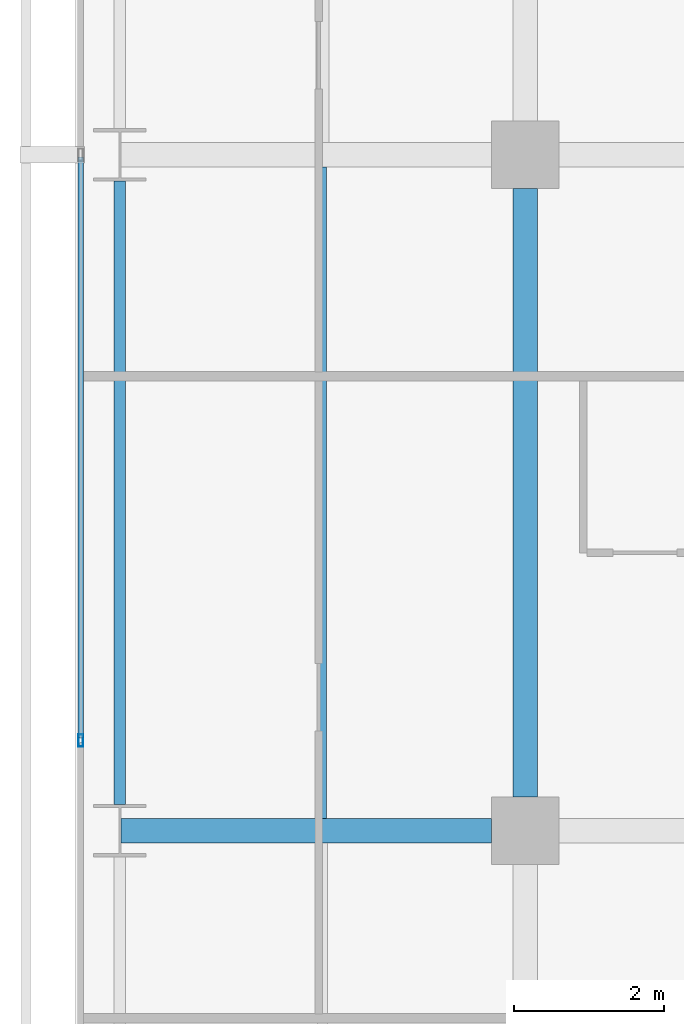
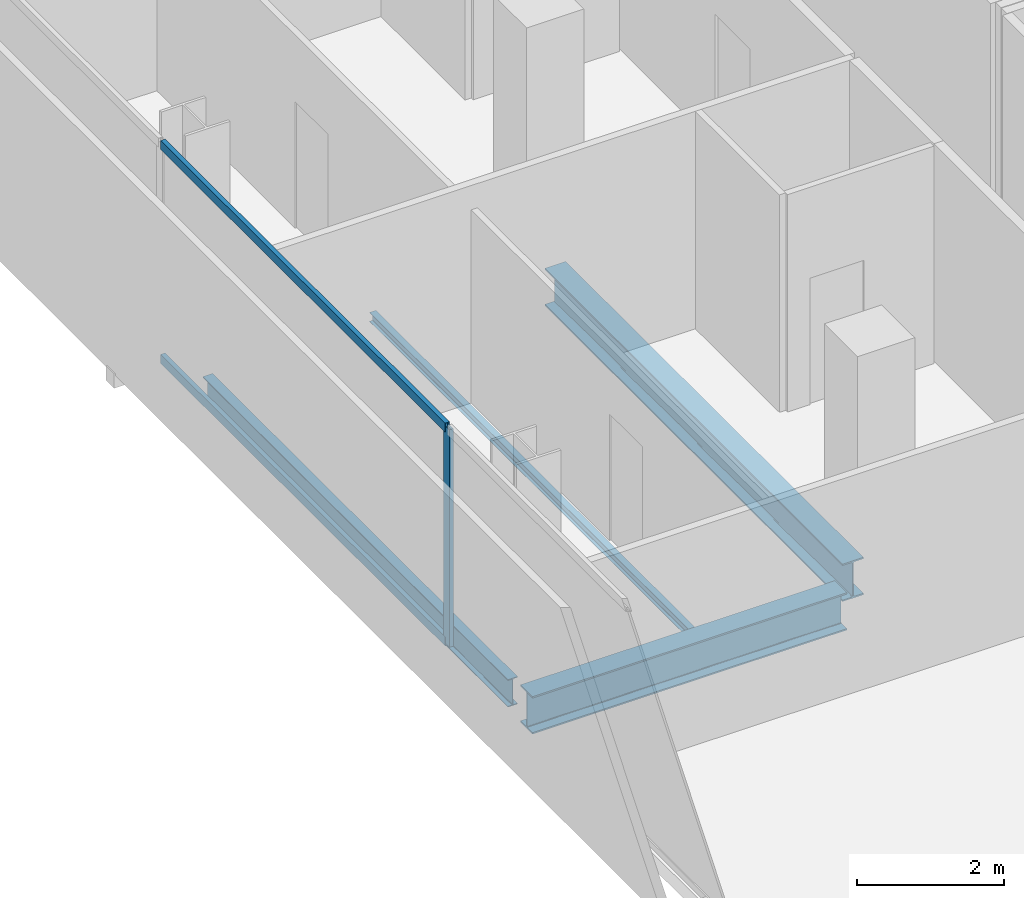
# One storey, part 10 of 40: 4 beams, 3 members, 1 element without a shape of its own.
"""IFC4 building model written with IfcOpenShell, lengths in metres."""

from ifc_helpers import new_model, si_unit, direction, frame, origin, origin_2d, place, context, subcontext, project, spatial, hollow_rectangle, i_section, extrude, material, layer, layer_set, material_profile, profile_set, type_object, element, aggregate, save


model = new_model("IFC4")

# Units and contexts
model_context = context("Model", 3, precision=1e-05, world=origin(), true_north=direction((0.0, 1.0)))
body_context = subcontext(model_context, "Body", "Model", "MODEL_VIEW")
ifc_project = project(units=[si_unit("LENGTHUNIT", "METRE"), si_unit("AREAUNIT", "SQUARE_METRE"), si_unit("VOLUMEUNIT", "CUBIC_METRE"), si_unit("PLANEANGLEUNIT", "RADIAN"), si_unit("MASSUNIT", "GRAM", prefix="KILO")], contexts=[model_context])

# Site, building, storey
site_placement = place(None, origin())
site = spatial("IfcSite", under=ifc_project, at=site_placement, CompositionType="ELEMENT")
building_placement = place(site_placement, origin())
building = spatial("IfcBuilding", under=site, at=building_placement, Name="Maruvema Waterfront Hotel and Observation Tower", CompositionType="ELEMENT")
storey_placement = place(building_placement, frame((0.0, 0.0, 73.14990234375)))
storey = spatial("IfcBuildingStorey", under=building, at=storey_placement, Name="L17", CompositionType="ELEMENT", Elevation=73.14990234375)

# Curtain wall, members
ifc_material_1 = material(Name="Anodised bronze aluminium and solar-control low-E IGU", Category="aluminium")
ifc_layer = layer(ifc_material_1, 0.159912109375, Name="Zone 1 Bronze Inner Thermal Curtain Wall System CW-02")
ifc_layer_set = layer_set([ifc_layer], Name="Anodised bronze aluminium and solar-control low-E IGU")
curtain_wall_type = type_object("IfcCurtainWallType", Name="Zone 1 Bronze Inner Thermal Curtain Wall System CW-02", PredefinedType="USERDEFINED", material=ifc_layer_set)
curtain_wall_placement = place(storey_placement, origin())
curtain_wall = element("IfcCurtainWall", 1, at=curtain_wall_placement, inside=storey, type_object=curtain_wall_type, Name="L17 Curtain Wall CW-L17-W", ObjectType="UNITISED CURTAIN WALL", PredefinedType="USERDEFINED")
ifc_material_2 = material(Name="Anodised architectural bronze aluminium", Category="aluminium")
ifc_material_profile_1 = material_profile(ifc_material_2, hollow_rectangle(XDim=0.070068359375, YDim=0.14990234375, WallThickness=0.00390625, at=origin_2d()), Name="ALU-T70x150")
ifc_profile_set_1 = profile_set([ifc_material_profile_1], Name="Anodised architectural bronze aluminium")
member_type_1 = type_object("IfcMemberType", Name="Curtain Wall Horizontal Transom ALU-T70x150", PredefinedType="USERDEFINED", material=ifc_profile_set_1)
member_1_placement = place(storey_placement, frame((10.8798828125, 26.969970703125, 0.030029296875), z_axis=(0.0, -1.0, 0.0), x_axis=(1.0, 0.0, 0.0)))
member_1 = element("IfcMember", 2, at=member_1_placement, type_object=member_type_1, Name="CW-02 transom 4.1", ObjectType="TRANSOM", PredefinedType="USERDEFINED", context=body_context, shape_type="SweptSolid", body=[
    extrude(hollow_rectangle(XDim=0.070068359375, YDim=0.14990234375, WallThickness=0.00390625, at=origin_2d()), origin(), (0.0, 0.0, 1.0), 7.739990234375),
])
member_2_placement = place(storey_placement, frame((10.8798828125, 26.969970703125, 3.580078125), z_axis=(0.0, -1.0, 0.0), x_axis=(1.0, 0.0, 0.0)))
member_2 = element("IfcMember", 3, at=member_2_placement, type_object=member_type_1, Name="CW-02 transom 4.2", ObjectType="TRANSOM", PredefinedType="USERDEFINED", context=body_context, shape_type="SweptSolid", body=[
    extrude(hollow_rectangle(XDim=0.070068359375, YDim=0.14990234375, WallThickness=0.00390625, at=origin_2d()), origin(), (0.0, 0.0, 1.0), 7.739990234375),
])
ifc_material_3 = material(Name="Anodised architectural bronze aluminium", Category="aluminium")
ifc_material_profile_2 = material_profile(ifc_material_3, hollow_rectangle(XDim=0.06494140625, YDim=0.1650390625, WallThickness=0.00390625, at=origin_2d()), Name="ALU-M65x165")
ifc_profile_set_2 = profile_set([ifc_material_profile_2], Name="Anodised architectural bronze aluminium")
member_type_2 = type_object("IfcMemberType", Name="Curtain Wall Primary Mullion ALU-M65x165", PredefinedType="MULLION", material=ifc_profile_set_2)
member_3_placement = place(storey_placement, frame((10.8798828125, 19.199951171875, 0.0), z_axis=(0.0, 0.0, 1.0), x_axis=(1.0, 0.0, 0.0)))
member_3 = element("IfcMember", 4, at=member_3_placement, type_object=member_type_2, Name="CW-02 mullion 5", PredefinedType="MULLION", context=body_context, shape_type="SweptSolid", body=[
    extrude(hollow_rectangle(XDim=0.06494140625, YDim=0.1650390625, WallThickness=0.00390625, at=origin_2d()), origin(), (0.0, 0.0, 1.0), 3.610107421875),
])
aggregate(curtain_wall, [member_3, member_1, member_2])

# Beams
ifc_material_4 = material(Name="Steel ASTM A572 Grade 50", Category="steel")
ifc_material_profile_3 = material_profile(ifc_material_4, i_section(OverallWidth=0.153076171875, OverallDepth=0.455078125, WebThickness=0.008056640625, FlangeThickness=0.01318359375, FilletRadius=0.014892578125, at=origin_2d()), Name="W460x60.0")
ifc_profile_set_3 = profile_set([ifc_material_profile_3], Name="Steel ASTM A572 Grade 50")
beam_type_1 = type_object("IfcBeamType", Name="Perimeter Spandrel Beam W460x60.0", PredefinedType="SPANDREL", material=ifc_profile_set_3)
beam_1_placement = place(storey_placement, frame((11.39990234375, 18.35009765625, -0.46728515625), z_axis=(0.0, 1.0, 0.0), x_axis=(-1.0, 0.0, 0.0)))
element("IfcBeam", 5, at=beam_1_placement, inside=storey, type_object=beam_type_1, Name="L17 Floor Girder NS-02", PredefinedType="SPANDREL", context=body_context, shape_type="SweptSolid", body=[
    extrude(i_section(OverallWidth=0.153076171875, OverallDepth=0.455078125, WebThickness=0.008056640625, FlangeThickness=0.01318359375, FilletRadius=0.014892578125, at=origin_2d()), origin(), (0.0, 0.0, 1.0), 8.2998046875),
])
ifc_material_5 = material(Name="Steel ASTM A572 Grade 50", Category="steel")
ifc_material_profile_4 = material_profile(ifc_material_5, i_section(OverallWidth=0.326904296875, OverallDepth=0.6220703125, WebThickness=0.015380859375, FlangeThickness=0.0244140625, FilletRadius=0.01806640625, at=origin_2d()), Name="W610x195.0")
ifc_profile_set_4 = profile_set([ifc_material_profile_4], Name="Steel ASTM A572 Grade 50")
beam_type_2 = type_object("IfcBeamType", Name="Primary Floor Girder W610x195.0", PredefinedType="BEAM", material=ifc_profile_set_4)
beam_2_placement = place(storey_placement, frame((11.4140625, 18.0, -0.55078125), z_axis=(1.0, 0.0, 0.0), x_axis=(0.0, 1.0, 0.0)))
element("IfcBeam", 6, at=beam_2_placement, inside=storey, type_object=beam_type_2, Name="L17 Floor Girder EW-13", PredefinedType="BEAM", context=body_context, shape_type="SweptSolid", body=[
    extrude(i_section(OverallWidth=0.326904296875, OverallDepth=0.6220703125, WebThickness=0.015380859375, FlangeThickness=0.0244140625, FilletRadius=0.01806640625, at=origin_2d()), origin(), (0.0, 0.0, 1.0), 4.93603515625),
])
beam_3_placement = place(storey_placement, frame((16.800048828125, 18.449951171875, -0.55078125), z_axis=(0.0, 1.0, 0.0), x_axis=(-1.0, 0.0, 0.0)))
element("IfcBeam", 7, at=beam_3_placement, inside=storey, type_object=beam_type_2, Name="L17 Floor Girder NS-07", PredefinedType="BEAM", context=body_context, shape_type="SweptSolid", body=[
    extrude(i_section(OverallWidth=0.326904296875, OverallDepth=0.6220703125, WebThickness=0.015380859375, FlangeThickness=0.0244140625, FilletRadius=0.01806640625, at=origin_2d()), origin(), (0.0, 0.0, 1.0), 8.10009765625),
])
ifc_material_6 = material(Name="Steel ASTM A572 Grade 50", Category="steel")
ifc_material_profile_5 = material_profile(ifc_material_6, i_section(OverallWidth=0.10009765625, OverallDepth=0.153076171875, WebThickness=0.005859375, FlangeThickness=0.007080078125, FilletRadius=0.008056640625, at=origin_2d()), Name="W150x18.0")
ifc_profile_set_5 = profile_set([ifc_material_profile_5], Name="Steel ASTM A572 Grade 50")
beam_type_3 = type_object("IfcBeamType", Name="Secondary Floor Joist W150x18.0", PredefinedType="JOIST", material=ifc_profile_set_5)
beam_4_placement = place(storey_placement, frame((14.10009765625, 18.16357421875, -0.31640625), z_axis=(0.0, 1.0, 0.0), x_axis=(-1.0, 0.0, 0.0)))
element("IfcBeam", 8, at=beam_4_placement, inside=storey, type_object=beam_type_3, Name="L17 Secondary Floor Joist JS-02", PredefinedType="JOIST", context=body_context, shape_type="SweptSolid", body=[
    extrude(i_section(OverallWidth=0.10009765625, OverallDepth=0.153076171875, WebThickness=0.005859375, FlangeThickness=0.007080078125, FilletRadius=0.008056640625, at=origin_2d()), origin(), (0.0, 0.0, 1.0), 8.6728515625),
])

save(model, "model.ifc")
